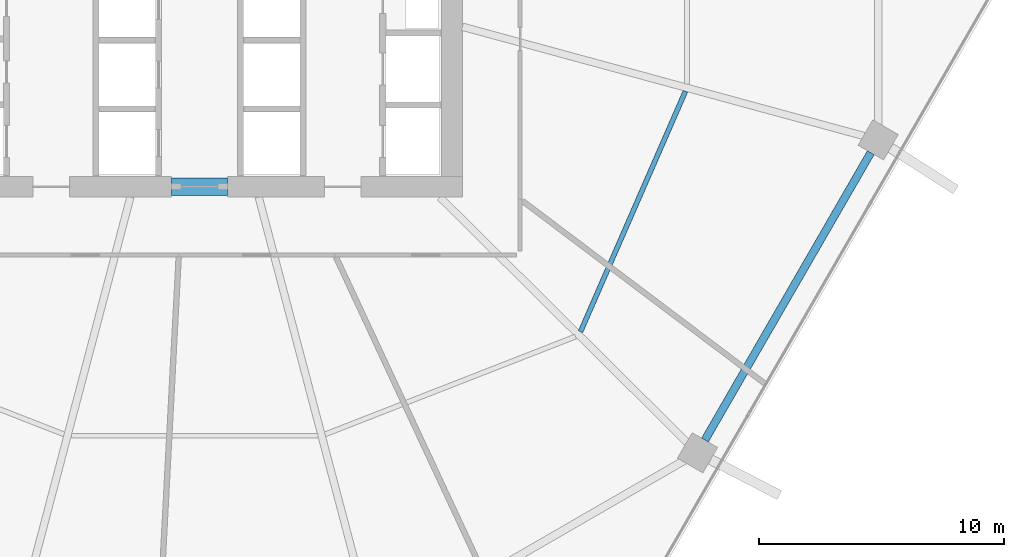
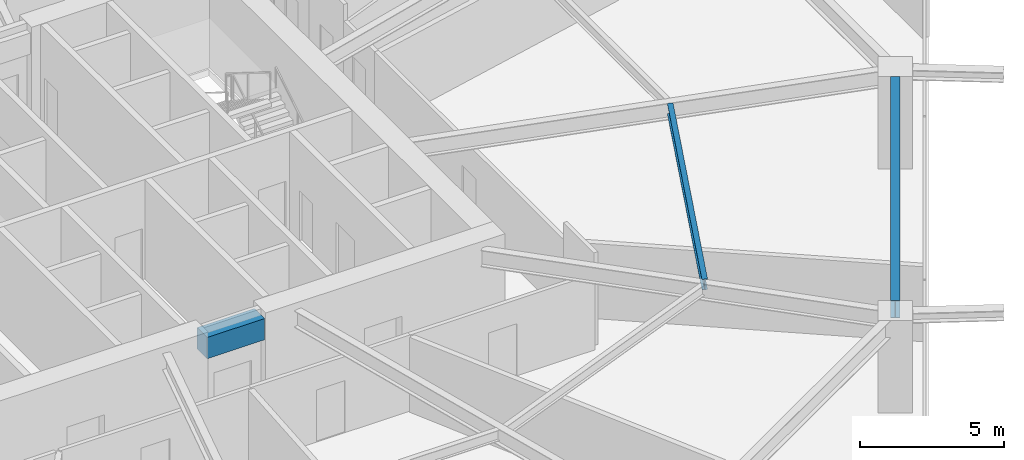
# One storey, part 10 of 25: 3 beams.
"""IFC4 building model written with IfcOpenShell, lengths in metres."""

from ifc_helpers import new_model, si_unit, direction, frame, origin, origin_2d, place, context, subcontext, project, spatial, rectangle, i_section, extrude, material, material_profile, profile_set, type_object, element, save


model = new_model("IFC4")

# Units and contexts
model_context = context("Model", 3, precision=1e-05, world=origin(), true_north=direction((0.0, 1.0)))
body_context = subcontext(model_context, "Body", "Model", "MODEL_VIEW")
ifc_project = project(units=[si_unit("LENGTHUNIT", "METRE"), si_unit("AREAUNIT", "SQUARE_METRE"), si_unit("VOLUMEUNIT", "CUBIC_METRE"), si_unit("PLANEANGLEUNIT", "RADIAN"), si_unit("MASSUNIT", "GRAM", prefix="KILO")], contexts=[model_context])

# Site, building, storey
site_placement = place(None, origin())
site = spatial("IfcSite", under=ifc_project, at=site_placement, CompositionType="ELEMENT")
building_placement = place(site_placement, origin())
building = spatial("IfcBuilding", under=site, at=building_placement, Name="Zuhravey Tower", CompositionType="ELEMENT")
storey_placement = place(building_placement, frame((0.0, 0.0, 45.60009765625)))
storey = spatial("IfcBuildingStorey", under=building, at=storey_placement, Name="L11", CompositionType="ELEMENT", Elevation=45.60009765625)

# Beams
ifc_material_1 = material(Name="Concrete C60/75", Category="concrete")
ifc_material_profile_1 = material_profile(ifc_material_1, rectangle(XDim=0.699951171875, YDim=0.89990234375, at=origin_2d()), Name="RC-700x900")
ifc_profile_set_1 = profile_set([ifc_material_profile_1], Name="Concrete C60/75")
beam_type_1 = type_object("IfcBeamType", Name="Core Coupling Beam RC700x900", PredefinedType="LINTEL", material=ifc_profile_set_1)
beam_1_placement = place(storey_placement, frame((35.052001953125, 22.5, 3.469970703125), z_axis=(1.0, 0.0, 0.0), x_axis=(0.0, 1.0, 0.0)))
element("IfcBeam", 1, at=beam_1_placement, inside=storey, type_object=beam_type_1, Name="L11 CB1 BM-L11-CB-S", PredefinedType="LINTEL", context=body_context, shape_type="SweptSolid", body=[
    extrude(rectangle(XDim=0.699951171875, YDim=0.89990234375, at=origin_2d()), origin(), (0.0, 0.0, 1.0), 2.2958984375),
])
ifc_material_2 = material(Name="Steel SM355", Category="steel")
ifc_material_profile_2 = material_profile(ifc_material_2, i_section(OverallWidth=0.320068359375, OverallDepth=0.75, WebThickness=0.013916015625, FlangeThickness=0.02490234375, at=origin_2d()), Name="H-750x320x14x25")
ifc_profile_set_2 = profile_set([ifc_material_profile_2], Name="Steel SM355")
beam_type_2 = type_object("IfcBeamType", Name="Perimeter Ring Beam H750x320", PredefinedType="BEAM", material=ifc_profile_set_2)
beam_2_placement = place(storey_placement, frame((56.820556640625, 12.165283203125, 3.544921875), z_axis=(0.499999877243, 0.866025474658, 0.0), x_axis=(-0.866025474658, 0.499999877243, 0.0)))
element("IfcBeam", 2, at=beam_2_placement, inside=storey, type_object=beam_type_2, Name="L11 PB1 BM-L11-PB-11", PredefinedType="BEAM", context=body_context, shape_type="SweptSolid", body=[
    extrude(i_section(OverallWidth=0.320068359375, OverallDepth=0.75, WebThickness=0.013916015625, FlangeThickness=0.02490234375, at=origin_2d()), origin(), (0.0, 0.0, 1.0), 13.5341796875),
])
ifc_material_profile_3 = material_profile(ifc_material_2, i_section(OverallWidth=0.199951171875, OverallDepth=0.449951171875, WebThickness=0.009033203125, FlangeThickness=0.013916015625, at=origin_2d()), Name="H-450x200x9x14")
ifc_profile_set_3 = profile_set([ifc_material_profile_3], Name="Steel SM355")
beam_type_3 = type_object("IfcBeamType", Name="Secondary Floor Joist H450x200", PredefinedType="JOIST", material=ifc_profile_set_3)
beam_3_placement = place(storey_placement, frame((51.7451171875, 16.58154296875, 3.69482421875), z_axis=(0.399923551578, 0.916548500022, 0.0), x_axis=(-0.916548500022, 0.399923551578, 0.0)))
element("IfcBeam", 3, at=beam_3_placement, inside=storey, type_object=beam_type_3, Name="L11 SJ1 BM-L11-SJ-11-1", PredefinedType="JOIST", context=body_context, shape_type="SweptSolid", body=[
    extrude(i_section(OverallWidth=0.199951171875, OverallDepth=0.449951171875, WebThickness=0.009033203125, FlangeThickness=0.013916015625, at=origin_2d()), origin(), (0.0, 0.0, 1.0), 10.70263671875),
])

save(model, "model.ifc")
